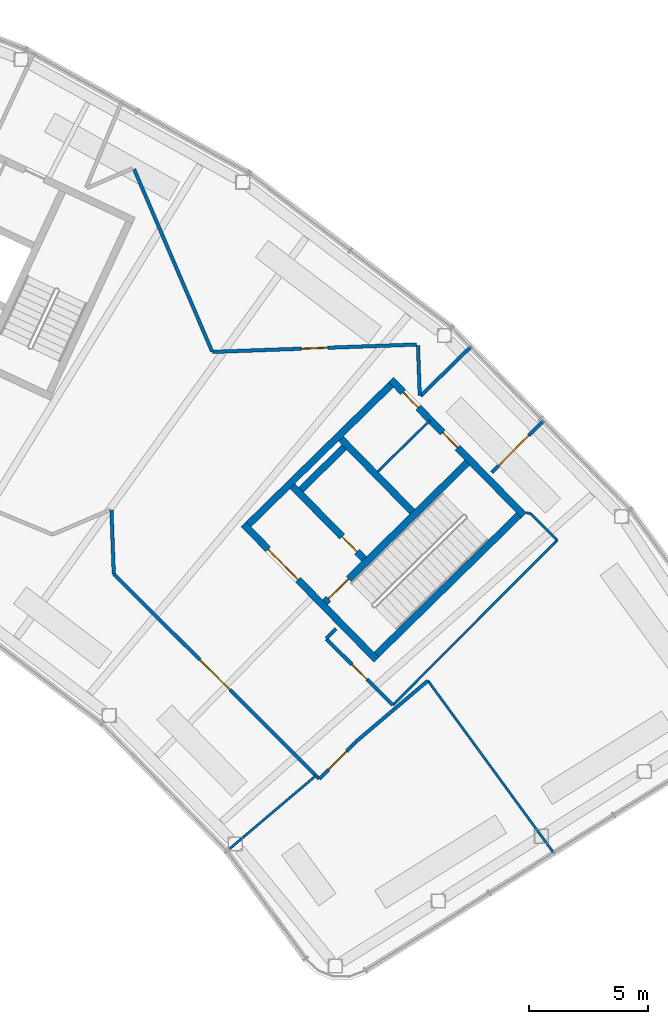
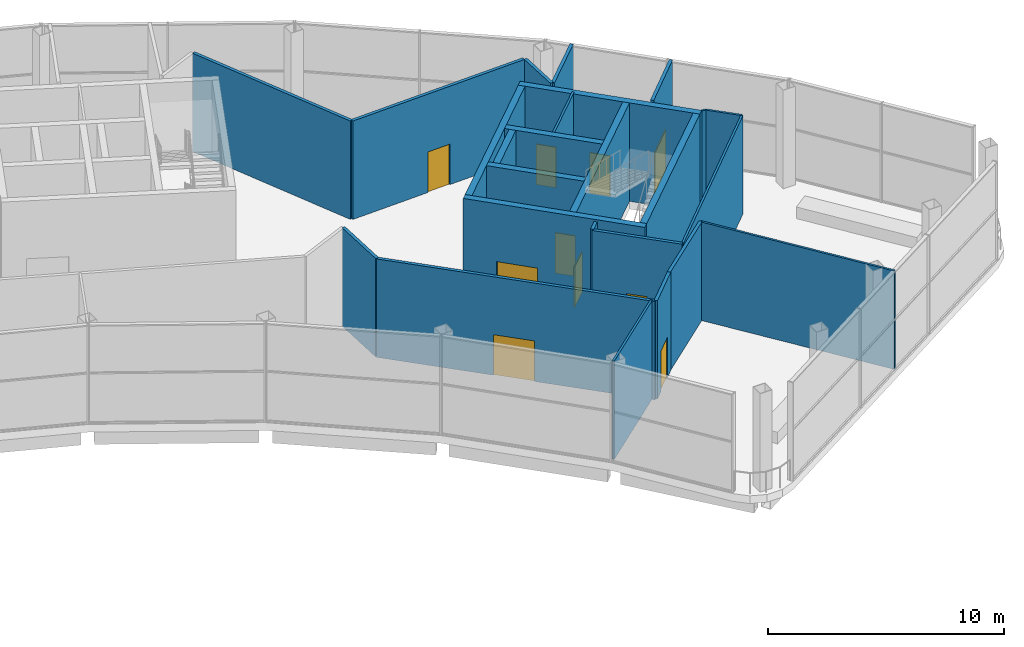
# One storey, part 38 of 43: 25 walls, 10 doors, 10 openings.
"""IFC4 building model written with IfcOpenShell, lengths in metres."""

from ifc_helpers import new_model, si_unit, direction, frame, frame_2d, origin, place, context, subcontext, project, spatial, rectangle, extrude, material, layer, layer_set, type_object, element, fill, save


model = new_model("IFC4")

# Units and contexts
model_context = context("Model", 3, precision=1e-05, world=origin(), true_north=direction((0.0, 1.0)))
body_context = subcontext(model_context, "Body", "Model", "MODEL_VIEW")
ifc_project = project(units=[si_unit("LENGTHUNIT", "METRE"), si_unit("AREAUNIT", "SQUARE_METRE"), si_unit("VOLUMEUNIT", "CUBIC_METRE"), si_unit("PLANEANGLEUNIT", "RADIAN"), si_unit("MASSUNIT", "GRAM", prefix="KILO")], contexts=[model_context])

# Site, building, storey
site_placement = place(None, origin())
site = spatial("IfcSite", under=ifc_project, at=site_placement, CompositionType="ELEMENT")
building_placement = place(site_placement, origin())
building = spatial("IfcBuilding", under=site, at=building_placement, Name="Tuul Gate Civic Tower", CompositionType="ELEMENT")
storey_placement = place(building_placement, frame((0.0, 0.0, 349.10009765625)))
storey = spatial("IfcBuildingStorey", under=building, at=storey_placement, Name="Observation level 1", CompositionType="ELEMENT", Elevation=349.10009765625)

# Wall, opening, door
ifc_material_1 = material(Name="Concrete C50/60", Category="concrete")
ifc_layer_1 = layer(ifc_material_1, 0.300048828125)
ifc_layer_set_1 = layer_set([ifc_layer_1], Name="Concrete C50/60")
wall_type_1 = type_object("IfcWallType", Name="Core wall C50/60", PredefinedType="SHEAR", material=ifc_layer_set_1)
wall_1_placement = place(storey_placement, frame((48.22509765625, -18.327880859375, 0.0), z_axis=(0.0, 0.0, 1.0), x_axis=(-0.700021979774, 0.714121297703, 0.0)))
wall_1 = element("IfcWall", 1, at=wall_1_placement, inside=storey, type_object=wall_type_1, Name="Core wall", PredefinedType="SHEAR", context=body_context, shape_type="SweptSolid", body=[
    extrude(rectangle(XDim=8.0, YDim=0.300048828125, at=frame_2d((4.0, 0.0))), origin(), (0.0, 0.0, 1.0), 5.099853515625),
])
opening_1_placement = place(wall_1_placement, frame((4.72509765625, 0.0, 0.0)))
opening_1 = element("IfcOpeningElement", 2, at=opening_1_placement, cuts=wall_1, Name="Opening LB-E1-LOBBY-1", PredefinedType="OPENING", context=body_context, shape_type="SweptSolid", body=[
    extrude(rectangle(XDim=1.800048828125, YDim=2.10009765625, at=frame_2d((0.89990234375, 1.050048828125))), frame((0.0, 0.16015625, 0.0), z_axis=(0.0, -1.0, 0.0), x_axis=(1.0, 0.0, 0.0)), (0.0, 0.0, 1.0), 0.320068359375),
])
ifc_material_2 = material(Name="Steel", Category="steel")
door_type_1 = type_object("IfcDoorType", Name="Lobby door", OperationType="DOUBLE_DOOR_SINGLE_SWING", PredefinedType="DOOR", material=ifc_material_2)
door_1_placement = place(opening_1_placement, frame((1.800048828125, 0.0, 0.0), z_axis=(0.0, 0.0, 1.0), x_axis=(-1.0, 0.0, 0.0)))
door_1 = element("IfcDoor", 3, at=door_1_placement, inside=storey, type_object=door_type_1, Name="Lobby door E1-LOBBY", OperationType="DOUBLE_DOOR_SINGLE_SWING", OverallHeight=2.10009765625, OverallWidth=1.800048828125, PredefinedType="DOOR", context=body_context, shape_type="SweptSolid", body=[
    extrude(rectangle(XDim=1.800048828125, YDim=2.10009765625, at=frame_2d((0.900146484375, 1.050048828125))), frame((0.0, 0.02490234375, 0.0), z_axis=(0.0, -1.0, 0.0), x_axis=(1.0, 0.0, 0.0)), (0.0, 0.0, 1.0), 0.050048828125),
])
fill(opening_1, door_1)

wall_2_placement = place(storey_placement, frame((47.701904296875, -14.079833984375, 0.0), z_axis=(0.0, 0.0, 1.0), x_axis=(-0.700002721075, 0.714140175657, 0.0)))
wall_2 = element("IfcWall", 4, at=wall_2_placement, inside=storey, type_object=wall_type_1, Name="Core wall", PredefinedType="SHEAR", context=body_context, shape_type="SweptSolid", body=[
    extrude(rectangle(XDim=4.300048828125, YDim=0.300048828125, at=frame_2d((2.14990234375, 0.0))), origin(), (0.0, 0.0, 1.0), 5.099853515625),
])
opening_2_placement = place(wall_2_placement, frame((0.425048828125, 0.0, 0.0)))
opening_2 = element("IfcOpeningElement", 5, at=opening_2_placement, cuts=wall_2, Name="Opening FB-E1A1", PredefinedType="OPENING", context=body_context, shape_type="SweptSolid", body=[
    extrude(rectangle(XDim=0.89990234375, YDim=2.10009765625, at=frame_2d((0.449951171875, 1.050048828125))), frame((0.0, 0.16015625, 0.0), z_axis=(0.0, -1.0, 0.0), x_axis=(1.0, 0.0, 0.0)), (0.0, 0.0, 1.0), 0.320068359375),
])
ifc_material_3 = material(Name="Steel", Category="steel")
door_type_2 = type_object("IfcDoorType", Name="Store door", OperationType="NOTDEFINED", PredefinedType="DOOR", material=ifc_material_3)
door_2_placement = place(opening_2_placement, frame((0.89990234375, 0.0, 0.0), z_axis=(0.0, 0.0, 1.0), x_axis=(-1.0, 0.0, 0.0)))
door_2 = element("IfcDoor", 6, at=door_2_placement, inside=storey, type_object=door_type_2, Name="Store door E1A1", OperationType="SINGLE_SWING_RIGHT", OverallHeight=2.10009765625, OverallWidth=0.89990234375, PredefinedType="DOOR", context=body_context, shape_type="SweptSolid", body=[
    extrude(rectangle(XDim=0.89990234375, YDim=2.10009765625, at=frame_2d((0.449951171875, 1.050048828125))), frame((0.0, 0.02490234375, 0.0), z_axis=(0.0, -1.0, 0.0), x_axis=(1.0, 0.0, 0.0)), (0.0, 0.0, 1.0), 0.050048828125),
])
fill(opening_2, door_2)

# Wall
wall_3_placement = place(storey_placement, frame((49.737060546875, -12.0849609375, 0.0), z_axis=(0.0, 0.0, 1.0), x_axis=(-0.700002721075, 0.714140175657, 0.0)))
element("IfcWall", 7, at=wall_3_placement, inside=storey, type_object=wall_type_1, Name="Core wall", PredefinedType="SHEAR", context=body_context, shape_type="SweptSolid", body=[
    extrude(rectangle(XDim=4.300048828125, YDim=0.300048828125, at=frame_2d((2.14990234375, 0.0))), origin(), (0.0, 0.0, 1.0), 5.099853515625),
])

# Wall, openings, doors
wall_4_placement = place(storey_placement, frame((54.43798828125, -12.23779296875, 0.0), z_axis=(0.0, 0.0, 1.0), x_axis=(-0.700021979774, 0.714121297703, 0.0)))
wall_4 = element("IfcWall", 8, at=wall_4_placement, inside=storey, type_object=wall_type_1, Name="Core wall", PredefinedType="SHEAR", context=body_context, shape_type="SweptSolid", body=[
    extrude(rectangle(XDim=8.0, YDim=0.300048828125, at=frame_2d((4.0, 0.0))), origin(), (0.0, 0.0, 1.0), 5.099853515625),
])
opening_3_placement = place(wall_4_placement, frame((3.987548828125, 0.0, 0.0)))
opening_3 = element("IfcOpeningElement", 9, at=opening_3_placement, cuts=wall_4, Name="Opening AD-D17", PredefinedType="OPENING", context=body_context, shape_type="SweptSolid", body=[
    extrude(rectangle(XDim=0.89990234375, YDim=2.10009765625, at=frame_2d((0.449951171875, 1.050048828125))), frame((0.0, 0.16015625, 0.0), z_axis=(0.0, -1.0, 0.0), x_axis=(1.0, 0.0, 0.0)), (0.0, 0.0, 1.0), 0.320068359375),
])
opening_4_placement = place(wall_4_placement, frame((6.362548828125, 0.0, 0.0)))
opening_4 = element("IfcOpeningElement", 10, at=opening_4_placement, cuts=wall_4, Name="Opening AD-D18", PredefinedType="OPENING", context=body_context, shape_type="SweptSolid", body=[
    extrude(rectangle(XDim=0.89990234375, YDim=2.10009765625, at=frame_2d((0.449951171875, 1.050048828125))), frame((0.0, 0.16015625, 0.0), z_axis=(0.0, -1.0, 0.0), x_axis=(1.0, 0.0, 0.0)), (0.0, 0.0, 1.0), 0.320068359375),
])
ifc_material_4 = material(Name="Timber door leaf", Category="wood")
door_type_3 = type_object("IfcDoorType", Name="Door D09", OperationType="NOTDEFINED", PredefinedType="DOOR", material=ifc_material_4)
door_3_placement = place(opening_3_placement, origin())
door_3 = element("IfcDoor", 11, at=door_3_placement, inside=storey, type_object=door_type_3, Name="Door AD-D17", OperationType="SINGLE_SWING_LEFT", OverallHeight=2.10009765625, OverallWidth=0.89990234375, PredefinedType="DOOR", context=body_context, shape_type="SweptSolid", body=[
    extrude(rectangle(XDim=0.89990234375, YDim=2.10009765625, at=frame_2d((0.449951171875, 1.050048828125))), frame((0.0, 0.02490234375, 0.0), z_axis=(0.0, -1.0, 0.0), x_axis=(1.0, 0.0, 0.0)), (0.0, 0.0, 1.0), 0.050048828125),
])
fill(opening_3, door_3)
door_4_placement = place(opening_4_placement, origin())
door_4 = element("IfcDoor", 12, at=door_4_placement, inside=storey, type_object=door_type_3, Name="Door AD-D18", OperationType="SINGLE_SWING_LEFT", OverallHeight=2.10009765625, OverallWidth=0.89990234375, PredefinedType="DOOR", context=body_context, shape_type="SweptSolid", body=[
    extrude(rectangle(XDim=0.89990234375, YDim=2.10009765625, at=frame_2d((0.449951171875, 1.050048828125))), frame((0.0, 0.02490234375, 0.0), z_axis=(0.0, -1.0, 0.0), x_axis=(1.0, 0.0, 0.0)), (0.0, 0.0, 1.0), 0.050048828125),
])
fill(opening_4, door_4)

# Wall
wall_5_placement = place(storey_placement, frame((48.227294921875, -18.115966796875, 0.0), z_axis=(0.0, 0.0, 1.0), x_axis=(0.714105315431, 0.700038283577, 0.0)))
element("IfcWall", 13, at=wall_5_placement, inside=storey, type_object=wall_type_1, Name="Core wall", PredefinedType="SHEAR", context=body_context, shape_type="SweptSolid", body=[
    extrude(rectangle(XDim=8.400146484375, YDim=0.300048828125, at=frame_2d((4.2001953125, 0.0))), origin(), (0.0, 0.0, 1.0), 5.099853515625),
])

# Wall, opening, door
wall_6_placement = place(storey_placement, frame((46.05712890625, -15.902099609375, 0.0), z_axis=(0.0, 0.0, 1.0), x_axis=(0.714134086973, 0.700008932674, 0.0)))
wall_6 = element("IfcWall", 14, at=wall_6_placement, inside=storey, type_object=wall_type_1, Name="Core wall", PredefinedType="SHEAR", context=body_context, shape_type="SweptSolid", body=[
    extrude(rectangle(XDim=8.400146484375, YDim=0.300048828125, at=frame_2d((4.2001953125, 0.0))), origin(), (0.0, 0.0, 1.0), 5.099853515625),
])
opening_5_placement = place(wall_6_placement, frame((0.199951171875, 0.0, 0.0)))
opening_5 = element("IfcOpeningElement", 15, at=opening_5_placement, cuts=wall_6, Name="Opening SD-ST-3", PredefinedType="OPENING", context=body_context, shape_type="SweptSolid", body=[
    extrude(rectangle(XDim=1.199951171875, YDim=2.10009765625, at=frame_2d((0.60009765625, 1.050048828125))), frame((0.0, 0.16015625, 0.0), z_axis=(0.0, -1.0, 0.0), x_axis=(1.0, 0.0, 0.0)), (0.0, 0.0, 1.0), 0.320068359375),
])
ifc_material_5 = material(Name="Steel", Category="steel")
door_type_4 = type_object("IfcDoorType", Name="Stair door", OperationType="NOTDEFINED", PredefinedType="DOOR", material=ifc_material_5)
door_5_placement = place(opening_5_placement, origin())
door_5 = element("IfcDoor", 16, at=door_5_placement, inside=storey, type_object=door_type_4, Name="Stair door ST-3", OperationType="SINGLE_SWING_LEFT", OverallHeight=2.10009765625, OverallWidth=1.199951171875, PredefinedType="DOOR", context=body_context, shape_type="SweptSolid", body=[
    extrude(rectangle(XDim=1.199951171875, YDim=2.10009765625, at=frame_2d((0.60009765625, 1.050048828125))), frame((0.0, 0.02490234375, 0.0), z_axis=(0.0, -1.0, 0.0), x_axis=(1.0, 0.0, 0.0)), (0.0, 0.0, 1.0), 0.050048828125),
])
fill(opening_5, door_5)

# Walls
wall_7_placement = place(storey_placement, frame((45.0439453125, -11.154052734375, 0.0), z_axis=(0.0, 0.0, 1.0), x_axis=(0.714108498262, 0.700035036773, 0.0)))
element("IfcWall", 17, at=wall_7_placement, inside=storey, type_object=wall_type_1, Name="Core wall", PredefinedType="SHEAR", context=body_context, shape_type="SweptSolid", body=[
    extrude(rectangle(XDim=2.550048828125, YDim=0.300048828125, at=frame_2d((1.27490234375, 0.0))), origin(), (0.0, 0.0, 1.0), 5.099853515625),
])
wall_8_placement = place(storey_placement, frame((42.837158203125, -12.616943359375, 0.0), z_axis=(0.0, 0.0, 1.0), x_axis=(0.714119844755, 0.700023461983, 0.0)))
element("IfcWall", 18, at=wall_8_placement, inside=storey, type_object=wall_type_1, Name="Core wall", PredefinedType="SHEAR", context=body_context, shape_type="SweptSolid", body=[
    extrude(rectangle(XDim=8.39990234375, YDim=0.300048828125, at=frame_2d((4.199951171875, 0.0))), origin(), (0.0, 0.0, 1.0), 5.099853515625),
])

# Wall, opening, door
ifc_material_6 = material(Name="Gypsum board partition")
ifc_layer_2 = layer(ifc_material_6, 0.14990234375)
ifc_layer_set_2 = layer_set([ifc_layer_2], Name="Gypsum board partition")
wall_type_2 = type_object("IfcWallType", Name="Corridor wall P150", PredefinedType="PARTITIONING", material=ifc_layer_set_2)
wall_9_placement = place(storey_placement, frame((45.81298828125, -23.349365234375, 0.0), z_axis=(0.0, 0.0, 1.0), x_axis=(0.706271320541, 0.707941255883, 0.0)))
wall_9 = element("IfcWall", 19, at=wall_9_placement, inside=storey, type_object=wall_type_2, Name="p001", PredefinedType="PARTITIONING", context=body_context, shape_type="SweptSolid", body=[
    extrude(rectangle(XDim=2.19287109375, YDim=0.14990234375, at=frame_2d((1.096435546875, 0.0))), origin(), (0.0, 0.0, 1.0), 5.099853515625),
])
opening_6_placement = place(wall_9_placement, frame((0.549560546875, 0.0, 0.0)))
opening_6 = element("IfcOpeningElement", 20, at=opening_6_placement, cuts=wall_9, Name="Opening AD-D13", PredefinedType="OPENING", context=body_context, shape_type="SweptSolid", body=[
    extrude(rectangle(XDim=1.10009765625, YDim=2.10009765625, at=frame_2d((0.550048828125, 1.050048828125))), frame((0.0, 0.0849609375, 0.0), z_axis=(0.0, -1.0, 0.0), x_axis=(1.0, 0.0, 0.0)), (0.0, 0.0, 1.0), 0.169921875),
])
ifc_material_7 = material(Name="Timber door leaf", Category="wood")
door_type_5 = type_object("IfcDoorType", Name="Door D11", OperationType="NOTDEFINED", PredefinedType="DOOR", material=ifc_material_7)
door_6_placement = place(opening_6_placement, frame((1.10009765625, 0.0, 0.0), z_axis=(0.0, 0.0, 1.0), x_axis=(-1.0, 0.0, 0.0)))
door_6 = element("IfcDoor", 21, at=door_6_placement, inside=storey, type_object=door_type_5, Name="Door AD-D13", OperationType="SINGLE_SWING_LEFT", OverallHeight=2.10009765625, OverallWidth=1.10009765625, PredefinedType="DOOR", context=body_context, shape_type="SweptSolid", body=[
    extrude(rectangle(XDim=1.10009765625, YDim=2.10009765625, at=frame_2d((0.550048828125, 1.050048828125))), frame((0.0, 0.02490234375, 0.0), z_axis=(0.0, -1.0, 0.0), x_axis=(1.0, 0.0, 0.0)), (0.0, 0.0, 1.0), 0.050048828125),
])
fill(opening_6, door_6)

wall_10_placement = place(storey_placement, frame((46.109619140625, -17.4453125, 0.0), z_axis=(0.0, 0.0, 1.0), x_axis=(0.707907825089, -0.706304828794, 0.0)))
wall_10 = element("IfcWall", 22, at=wall_10_placement, inside=storey, type_object=wall_type_2, Name="p002", PredefinedType="PARTITIONING", context=body_context, shape_type="SweptSolid", body=[
    extrude(rectangle(XDim=3.9599609375, YDim=0.14990234375, at=frame_2d((1.97998046875, 0.0))), origin(), (0.0, 0.0, 1.0), 5.099853515625),
])
opening_7_placement = place(wall_10_placement, frame((1.52490234375, 0.0, 0.0)))
opening_7 = element("IfcOpeningElement", 23, at=opening_7_placement, cuts=wall_10, Name="Opening AD-D01", PredefinedType="OPENING", context=body_context, shape_type="SweptSolid", body=[
    extrude(rectangle(XDim=0.89990234375, YDim=2.10009765625, at=frame_2d((0.449951171875, 1.050048828125))), frame((0.0, 0.0849609375, 0.0), z_axis=(0.0, -1.0, 0.0), x_axis=(1.0, 0.0, 0.0)), (0.0, 0.0, 1.0), 0.169921875),
])
door_7_placement = place(opening_7_placement, frame((0.89990234375, 0.0, 0.0), z_axis=(0.0, 0.0, 1.0), x_axis=(-1.0, 0.0, 0.0)))
door_7 = element("IfcDoor", 24, at=door_7_placement, inside=storey, type_object=door_type_3, Name="Door AD-D01", OperationType="SINGLE_SWING_LEFT", OverallHeight=2.10009765625, OverallWidth=0.89990234375, PredefinedType="DOOR", context=body_context, shape_type="SweptSolid", body=[
    extrude(rectangle(XDim=0.89990234375, YDim=2.10009765625, at=frame_2d((0.449951171875, 1.050048828125))), frame((0.0, 0.02490234375, 0.0), z_axis=(0.0, -1.0, 0.0), x_axis=(1.0, 0.0, 0.0)), (0.0, 0.0, 1.0), 0.050048828125),
])
fill(opening_7, door_7)

# Wall
wall_11_placement = place(storey_placement, frame((46.113037109375, -17.427978515625, 0.0), z_axis=(0.0, 0.0, 1.0), x_axis=(0.706261971121, 0.707950583126, 0.0)))
element("IfcWall", 25, at=wall_11_placement, inside=storey, type_object=wall_type_2, Name="p003", PredefinedType="PARTITIONING", context=body_context, shape_type="SweptSolid", body=[
    extrude(rectangle(XDim=0.578369140625, YDim=0.14990234375, at=frame_2d((0.2890625, 0.0))), origin(), (0.0, 0.0, 1.0), 5.099853515625),
])

# Wall, opening, door
wall_12_placement = place(storey_placement, frame((53.09033203125, -10.434326171875, 0.0), z_axis=(0.0, 0.0, 1.0), x_axis=(0.706279733528, 0.707932862641, 0.0)))
wall_12 = element("IfcWall", 26, at=wall_12_placement, inside=storey, type_object=wall_type_2, Name="p004", PredefinedType="PARTITIONING", context=body_context, shape_type="SweptSolid", body=[
    extrude(rectangle(XDim=3.101318359375, YDim=0.14990234375, at=frame_2d((1.55078125, 0.0))), origin(), (0.0, 0.0, 1.0), 5.099853515625),
])
opening_8_placement = place(wall_12_placement, frame((0.40576171875, 0.0, 0.0)))
opening_8 = element("IfcOpeningElement", 27, at=opening_8_placement, cuts=wall_12, Name="Opening AD-D14", PredefinedType="OPENING", context=body_context, shape_type="SweptSolid", body=[
    extrude(rectangle(XDim=1.800048828125, YDim=2.10009765625, at=frame_2d((0.89990234375, 1.050048828125))), frame((0.0, 0.0849609375, 0.0), z_axis=(0.0, -1.0, 0.0), x_axis=(1.0, 0.0, 0.0)), (0.0, 0.0, 1.0), 0.169921875),
])
ifc_material_8 = material(Name="Timber door leaf, double", Category="wood")
door_type_6 = type_object("IfcDoorType", Name="Door D18", OperationType="DOUBLE_DOOR_SINGLE_SWING", PredefinedType="DOOR", material=ifc_material_8)
door_8_placement = place(opening_8_placement, frame((1.800048828125, 0.0, 0.0), z_axis=(0.0, 0.0, 1.0), x_axis=(-1.0, 0.0, 0.0)))
door_8 = element("IfcDoor", 28, at=door_8_placement, inside=storey, type_object=door_type_6, Name="Door AD-D14", OperationType="DOUBLE_DOOR_SINGLE_SWING", OverallHeight=2.10009765625, OverallWidth=1.800048828125, PredefinedType="DOOR", context=body_context, shape_type="SweptSolid", body=[
    extrude(rectangle(XDim=1.800048828125, YDim=2.10009765625, at=frame_2d((0.900146484375, 1.050048828125))), frame((0.0, 0.02490234375, 0.0), z_axis=(0.0, -1.0, 0.0), x_axis=(1.0, 0.0, 0.0)), (0.0, 0.0, 1.0), 0.050048828125),
])
fill(opening_8, door_8)

# Walls
wall_13_placement = place(storey_placement, frame((50.086669921875, -7.208984375, 0.0), z_axis=(0.0, 0.0, 1.0), x_axis=(0.714219373759, 0.699921914321, 0.0)))
element("IfcWall", 29, at=wall_13_placement, inside=storey, type_object=wall_type_2, Name="p007", PredefinedType="PARTITIONING", context=body_context, shape_type="SweptSolid", body=[
    extrude(rectangle(XDim=2.98828125, YDim=0.14990234375, at=frame_2d((1.494140625, 0.0))), origin(), (0.0, 0.0, 1.0), 5.099853515625),
])
wall_14_placement = place(storey_placement, frame((49.9765625, -5.087890625, 0.0), z_axis=(0.0, 0.0, 1.0), x_axis=(0.03600536915, -0.999351596483, 0.0)))
element("IfcWall", 30, at=wall_14_placement, inside=storey, type_object=wall_type_2, Name="p008", PredefinedType="PARTITIONING", context=body_context, shape_type="SweptSolid", body=[
    extrude(rectangle(XDim=2.10888671875, YDim=0.14990234375, at=frame_2d((1.054443359375, 0.0))), origin(), (0.0, 0.0, 1.0), 5.099853515625),
])

# Wall, opening, door
wall_15_placement = place(storey_placement, frame((41.319580078125, -5.35009765625, 0.0), z_axis=(0.0, 0.0, 1.0), x_axis=(0.999349383314, 0.036066744661, 0.0)))
wall_15 = element("IfcWall", 31, at=wall_15_placement, inside=storey, type_object=wall_type_2, Name="p009", PredefinedType="PARTITIONING", context=body_context, shape_type="SweptSolid", body=[
    extrude(rectangle(XDim=8.6103515625, YDim=0.14990234375, at=frame_2d((4.30517578125, 0.0))), origin(), (0.0, 0.0, 1.0), 5.099853515625),
])
opening_9_placement = place(wall_15_placement, frame((3.75537109375, 0.0, 0.0)))
opening_9 = element("IfcOpeningElement", 32, at=opening_9_placement, cuts=wall_15, Name="Opening AD-D02", PredefinedType="OPENING", context=body_context, shape_type="SweptSolid", body=[
    extrude(rectangle(XDim=1.10009765625, YDim=2.10009765625, at=frame_2d((0.550048828125, 1.050048828125))), frame((0.0, 0.0849609375, 0.0), z_axis=(0.0, -1.0, 0.0), x_axis=(1.0, 0.0, 0.0)), (0.0, 0.0, 1.0), 0.169921875),
])
door_9_placement = place(opening_9_placement, origin())
door_9 = element("IfcDoor", 33, at=door_9_placement, inside=storey, type_object=door_type_5, Name="Door AD-D02", OperationType="SINGLE_SWING_RIGHT", OverallHeight=2.10009765625, OverallWidth=1.10009765625, PredefinedType="DOOR", context=body_context, shape_type="SweptSolid", body=[
    extrude(rectangle(XDim=1.10009765625, YDim=2.10009765625, at=frame_2d((0.550048828125, 1.050048828125))), frame((0.0, 0.02490234375, 0.0), z_axis=(0.0, -1.0, 0.0), x_axis=(1.0, 0.0, 0.0)), (0.0, 0.0, 1.0), 0.050048828125),
])
fill(opening_9, door_9)

# Walls
wall_16_placement = place(storey_placement, frame((38.010009765625, 2.354736328125, 0.0), z_axis=(0.0, 0.0, 1.0), x_axis=(0.393246564822, -0.919433053167, 0.0)))
element("IfcWall", 34, at=wall_16_placement, inside=storey, type_object=wall_type_2, Name="p010", PredefinedType="PARTITIONING", context=body_context, shape_type="SweptSolid", body=[
    extrude(rectangle(XDim=8.366943359375, YDim=0.14990234375, at=frame_2d((4.18359375, 0.0))), origin(), (0.0, 0.0, 1.0), 5.099853515625),
])
wall_17_placement = place(storey_placement, frame((37.0546875, -12.0166015625, 0.0), z_axis=(0.0, 0.0, 1.0), x_axis=(0.036053412439, -0.999349864388, 0.0)))
element("IfcWall", 35, at=wall_17_placement, inside=storey, type_object=wall_type_2, Name="p054", PredefinedType="PARTITIONING", context=body_context, shape_type="SweptSolid", body=[
    extrude(rectangle(XDim=2.695068359375, YDim=0.14990234375, at=frame_2d((1.34765625, 0.0))), origin(), (0.0, 0.0, 1.0), 5.099853515625),
])

# Wall, opening, door
wall_18_placement = place(storey_placement, frame((37.15234375, -14.711181640625, 0.0), z_axis=(0.0, 0.0, 1.0), x_axis=(0.707975210364, -0.70623728414, 0.0)))
wall_18 = element("IfcWall", 36, at=wall_18_placement, inside=storey, type_object=wall_type_2, Name="p055", PredefinedType="PARTITIONING", context=body_context, shape_type="SweptSolid", body=[
    extrude(rectangle(XDim=12.2216796875, YDim=0.14990234375, at=frame_2d((6.11083984375, 0.0))), origin(), (0.0, 0.0, 1.0), 5.099853515625),
])
opening_10_placement = place(wall_18_placement, frame((5.119140625, 0.0, 0.0)))
opening_10 = element("IfcOpeningElement", 37, at=opening_10_placement, cuts=wall_18, Name="Opening AD-D07", PredefinedType="OPENING", context=body_context, shape_type="SweptSolid", body=[
    extrude(rectangle(XDim=1.800048828125, YDim=2.10009765625, at=frame_2d((0.89990234375, 1.050048828125))), frame((0.0, 0.0849609375, 0.0), z_axis=(0.0, -1.0, 0.0), x_axis=(1.0, 0.0, 0.0)), (0.0, 0.0, 1.0), 0.169921875),
])
door_10_placement = place(opening_10_placement, frame((1.800048828125, 0.0, 0.0), z_axis=(0.0, 0.0, 1.0), x_axis=(-1.0, 0.0, 0.0)))
door_10 = element("IfcDoor", 38, at=door_10_placement, inside=storey, type_object=door_type_6, Name="Door AD-D07", OperationType="DOUBLE_DOOR_SINGLE_SWING", OverallHeight=2.10009765625, OverallWidth=1.800048828125, PredefinedType="DOOR", context=body_context, shape_type="SweptSolid", body=[
    extrude(rectangle(XDim=1.800048828125, YDim=2.10009765625, at=frame_2d((0.900146484375, 1.050048828125))), frame((0.0, 0.02490234375, 0.0), z_axis=(0.0, -1.0, 0.0), x_axis=(1.0, 0.0, 0.0)), (0.0, 0.0, 1.0), 0.050048828125),
])
fill(opening_10, door_10)

# Walls
wall_19_placement = place(storey_placement, frame((47.359130859375, -21.785400390625, 0.0), z_axis=(0.0, 0.0, 1.0), x_axis=(0.76279510442, 0.646640262181, 0.0)))
element("IfcWall", 39, at=wall_19_placement, inside=storey, type_object=wall_type_2, Name="p056", PredefinedType="PARTITIONING", context=body_context, shape_type="SweptSolid", body=[
    extrude(rectangle(XDim=3.98095703125, YDim=0.14990234375, at=frame_2d((1.990478515625, 0.0))), origin(), (0.0, 0.0, 1.0), 5.099853515625),
])
ifc_material_9 = material(Name="Gypsum board partition")
ifc_layer_3 = layer(ifc_material_9, 0.10009765625)
ifc_layer_set_3 = layer_set([ifc_layer_3], Name="Gypsum board partition")
wall_type_3 = type_object("IfcWallType", Name="Partition P100", PredefinedType="PARTITIONING", material=ifc_layer_set_3)
wall_20_placement = place(storey_placement, frame((54.725830078125, -12.165771484375, 0.0), z_axis=(0.0, 0.0, 1.0), x_axis=(0.707951270222, -0.706261282381, 0.0)))
element("IfcWall", 40, at=wall_20_placement, inside=storey, type_object=wall_type_3, Name="p005", PredefinedType="PARTITIONING", context=body_context, shape_type="SweptSolid", body=[
    extrude(rectangle(XDim=1.589111328125, YDim=0.10009765625, at=frame_2d((0.79443359375, 0.0))), origin(), (0.0, 0.0, 1.0), 5.099853515625),
])
wall_21_placement = place(storey_placement, frame((48.912841796875, -20.2421875, 0.0), z_axis=(0.0, 0.0, 1.0), x_axis=(0.706286140759, 0.707926470314, 0.0)))
element("IfcWall", 41, at=wall_21_placement, inside=storey, type_object=wall_type_3, Name="p006", PredefinedType="PARTITIONING", context=body_context, shape_type="SweptSolid", body=[
    extrude(rectangle(XDim=9.8232421875, YDim=0.10009765625, at=frame_2d((4.91162109375, 0.0))), origin(), (0.0, 0.0, 1.0), 5.099853515625),
])
wall_22_placement = place(storey_placement, frame((42.02099609375, -26.310302734375, 0.0), z_axis=(0.0, 0.0, 1.0), x_axis=(0.762817624, 0.646613696511, 0.0)))
element("IfcWall", 42, at=wall_22_placement, inside=storey, type_object=wall_type_3, Name="p050", PredefinedType="PARTITIONING", context=body_context, shape_type="SweptSolid", body=[
    extrude(rectangle(XDim=4.790283203125, YDim=0.10009765625, at=frame_2d((2.39501953125, 0.0))), origin(), (0.0, 0.0, 1.0), 5.099853515625),
])
wall_23_placement = place(storey_placement, frame((50.39599609375, -19.21142578125, 0.0), z_axis=(0.0, 0.0, 1.0), x_axis=(0.58980076904, -0.807548792854, 0.0)))
element("IfcWall", 43, at=wall_23_placement, inside=storey, type_object=wall_type_3, Name="p076", PredefinedType="PARTITIONING", context=body_context, shape_type="SweptSolid", body=[
    extrude(rectangle(XDim=9.02001953125, YDim=0.10009765625, at=frame_2d((4.510009765625, 0.0))), origin(), (0.0, 0.0, 1.0), 5.099853515625),
])
wall_24_placement = place(storey_placement, frame((54.725830078125, -12.165771484375, 0.0), z_axis=(0.0, 0.0, 1.0), x_axis=(-0.983763383419, 0.179470346975, 0.0)))
element("IfcWall", 44, at=wall_24_placement, inside=storey, type_object=wall_type_3, Name="p079", PredefinedType="PARTITIONING", context=body_context, shape_type="SweptSolid", body=[
    extrude(rectangle(XDim=0.18359375, YDim=0.10009765625, at=frame_2d((0.091796875, 0.0))), origin(), (0.0, 0.0, 1.0), 5.099853515625),
])
wall_25_placement = place(storey_placement, frame((48.28662109375, -10.390869140625, 0.0), z_axis=(0.0, 0.0, 1.0), x_axis=(0.714159293908, 0.699983216173, 0.0)))
element("IfcWall", 45, at=wall_25_placement, inside=storey, type_object=wall_type_3, Name="bE1-BAND-0", PredefinedType="PARTITIONING", context=body_context, shape_type="SweptSolid", body=[
    extrude(rectangle(XDim=3.099853515625, YDim=0.10009765625, at=frame_2d((1.5498046875, 0.0))), origin(), (0.0, 0.0, 1.0), 5.099853515625),
])

save(model, "model.ifc")
